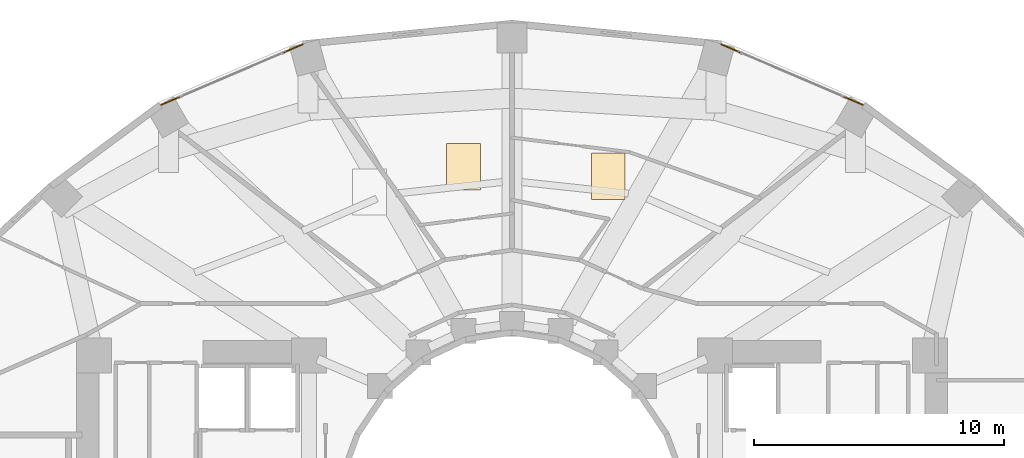
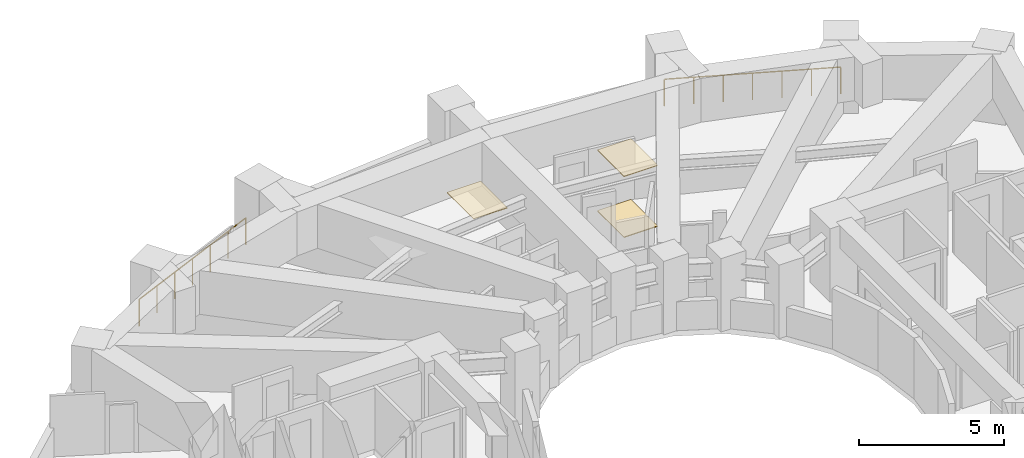
# One storey, part 22 of 22: 3 coverings, 2 railings.
"""IFC4 building model written with IfcOpenShell, lengths in metres."""

from ifc_helpers import new_model, si_unit, direction, frame, origin, origin_2d, place, context, subcontext, project, spatial, polyline, circle, outline, extrude, material, layer, layer_set, type_object, element, save


model = new_model("IFC4")

# Units and contexts
model_context = context("Model", 3, precision=1e-05, world=origin(), true_north=direction((0.0, 1.0)))
body_context = subcontext(model_context, "Body", "Model", "MODEL_VIEW")
ifc_project = project(units=[si_unit("LENGTHUNIT", "METRE"), si_unit("AREAUNIT", "SQUARE_METRE"), si_unit("VOLUMEUNIT", "CUBIC_METRE"), si_unit("PLANEANGLEUNIT", "RADIAN"), si_unit("MASSUNIT", "GRAM", prefix="KILO")], contexts=[model_context])

# Site, building, storey
site_placement = place(None, origin())
site = spatial("IfcSite", under=ifc_project, at=site_placement, CompositionType="ELEMENT")
building_placement = place(site_placement, origin())
building = spatial("IfcBuilding", under=site, at=building_placement, Name="Solvane Sanctuary Tower", CompositionType="ELEMENT")
storey_placement = place(building_placement, frame((0.0, 0.0, 43.10009765625)))
storey = spatial("IfcBuildingStorey", under=building, at=storey_placement, Name="L12", CompositionType="ELEMENT", Elevation=43.10009765625)

# Coverings
ifc_material_1 = material(Name="Acoustic Gypsum Partition Board")
ifc_layer_1 = layer(ifc_material_1, 0.02490234375, Name="Acoustic Gypsum Partition Board")
ifc_layer_set_1 = layer_set([ifc_layer_1], Name="Acoustic Gypsum Partition Board")
covering_type_1 = type_object("IfcCoveringType", Name="Covering CLG-ACOUST", PredefinedType="CEILING", material=ifc_layer_set_1)
covering_1_placement = place(storey_placement, frame((0.0, 0.0, 2.56982421875)))
element("IfcCovering", 1, at=covering_1_placement, inside=storey, type_object=covering_type_1, Name="L12 Unit Acoustic Ceiling Panel 1", PredefinedType="CEILING", context=body_context, shape_type="SweptSolid", body=[
    extrude(outline(polyline([(35.1708984375, 36.428955078125), (36.52099609375, 36.428955078125), (36.52099609375, 38.279052734375), (35.1708984375, 38.279052734375), (35.1708984375, 36.428955078125)])), origin(), (0.0, 0.0, 1.0), 0.030029296875),
])
covering_2_placement = place(storey_placement, frame((0.0, 0.0, 2.56982421875)))
element("IfcCovering", 2, at=covering_2_placement, inside=storey, type_object=covering_type_1, Name="L12 Unit Acoustic Ceiling Panel 2", PredefinedType="CEILING", context=body_context, shape_type="SweptSolid", body=[
    extrude(outline(polyline([(29.385009765625, 36.80810546875), (30.735107421875, 36.80810546875), (30.735107421875, 38.657958984375), (29.385009765625, 38.657958984375), (29.385009765625, 36.80810546875)])), origin(), (0.0, 0.0, 1.0), 0.030029296875),
])
ifc_material_2 = material(Name="Ceramic Tile Finish")
ifc_layer_2 = layer(ifc_material_2, 0.030029296875, Name="Ceramic Tile Finish")
ifc_layer_set_2 = layer_set([ifc_layer_2], Name="Ceramic Tile Finish")
covering_type_2 = type_object("IfcCoveringType", Name="Covering FLR-TERRAZZO", PredefinedType="FLOORING", material=ifc_layer_set_2)
covering_3_placement = place(storey_placement, origin())
element("IfcCovering", 3, at=covering_3_placement, inside=storey, type_object=covering_type_2, Name="L12 Unit Terrazzo Inlay 1", PredefinedType="FLOORING", context=body_context, shape_type="SweptSolid", body=[
    extrude(outline(polyline([(35.1708984375, 36.428955078125), (36.52099609375, 36.428955078125), (36.52099609375, 38.279052734375), (35.1708984375, 38.279052734375), (35.1708984375, 36.428955078125)])), origin(), (0.0, 0.0, 1.0), 0.034912109375),
])

# Railings
ifc_material_3 = material(Name="Architectural Stainless Steel 316", Category="steel")
railing_type = type_object("IfcRailingType", Name="Railing GR-BALC-1150", PredefinedType="BALUSTRADE", material=ifc_material_3)
railing_1_placement = place(storey_placement, frame((46.014404296875, 40.208740234375, 0.0)))
element("IfcRailing", 4, at=railing_1_placement, inside=storey, type_object=railing_type, Name="L12 Curtain-Wall Perimeter Sill Guard 04", PredefinedType="BALUSTRADE", context=body_context, shape_type="SweptSolid", body=[
    extrude(circle(Radius=0.02392578125, at=origin_2d()), frame((0.0, 0.0, 1.1259765625), z_axis=(-0.919604392421, 0.392845722186, 0.0), x_axis=(-0.392845722186, -0.919604392421, 0.0)), (0.0, 0.0, 1.0), 6.1494140625),
    extrude(circle(Radius=0.02099609375, at=origin_2d()), origin(), (0.0, 0.0, 1.0), 1.101806640625),
    extrude(circle(Radius=0.02099609375, at=origin_2d()), frame((-0.9423828125, 0.402587890625, 0.0)), (0.0, 0.0, 1.0), 1.101806640625),
    extrude(circle(Radius=0.02099609375, at=origin_2d()), frame((-1.885009765625, 0.80517578125, 0.0)), (0.0, 0.0, 1.0), 1.101806640625),
    extrude(circle(Radius=0.02099609375, at=origin_2d()), frame((-2.82763671875, 1.2080078125, 0.0)), (0.0, 0.0, 1.0), 1.101806640625),
    extrude(circle(Radius=0.02099609375, at=origin_2d()), frame((-3.77001953125, 1.610595703125, 0.0)), (0.0, 0.0, 1.0), 1.101806640625),
    extrude(circle(Radius=0.02099609375, at=origin_2d()), frame((-4.71240234375, 2.01318359375, 0.0)), (0.0, 0.0, 1.0), 1.101806640625),
    extrude(circle(Radius=0.02099609375, at=origin_2d()), frame((-5.655029296875, 2.415771484375, 0.0)), (0.0, 0.0, 1.0), 1.101806640625),
])
railing_2_placement = place(storey_placement, frame((23.640625, 42.62451171875, 0.0)))
element("IfcRailing", 5, at=railing_2_placement, inside=storey, type_object=railing_type, Name="L12 Curtain-Wall Perimeter Sill Guard 07", PredefinedType="BALUSTRADE", context=body_context, shape_type="SweptSolid", body=[
    extrude(circle(Radius=0.02392578125, at=origin_2d()), frame((0.0, 0.0, 1.1259765625), z_axis=(-0.919604392421, -0.392845722186, 0.0), x_axis=(0.392845722186, -0.919604392421, 0.0)), (0.0, 0.0, 1.0), 6.1494140625),
    extrude(circle(Radius=0.02099609375, at=origin_2d()), origin(), (0.0, 0.0, 1.0), 1.101806640625),
    extrude(circle(Radius=0.02099609375, at=origin_2d()), frame((-0.9423828125, -0.402587890625, 0.0)), (0.0, 0.0, 1.0), 1.101806640625),
    extrude(circle(Radius=0.02099609375, at=origin_2d()), frame((-1.885009765625, -0.80517578125, 0.0)), (0.0, 0.0, 1.0), 1.101806640625),
    extrude(circle(Radius=0.02099609375, at=origin_2d()), frame((-2.82763671875, -1.2080078125, 0.0)), (0.0, 0.0, 1.0), 1.101806640625),
    extrude(circle(Radius=0.02099609375, at=origin_2d()), frame((-3.77001953125, -1.610595703125, 0.0)), (0.0, 0.0, 1.0), 1.101806640625),
    extrude(circle(Radius=0.02099609375, at=origin_2d()), frame((-4.71240234375, -2.01318359375, 0.0)), (0.0, 0.0, 1.0), 1.101806640625),
    extrude(circle(Radius=0.02099609375, at=origin_2d()), frame((-5.655029296875, -2.415771484375, 0.0)), (0.0, 0.0, 1.0), 1.101806640625),
])

save(model, "model.ifc")
